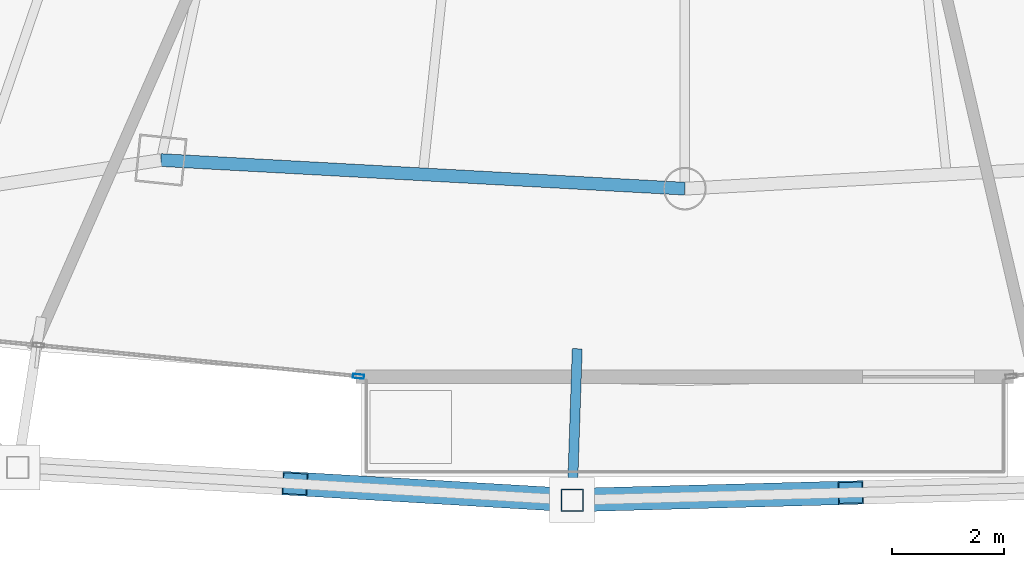
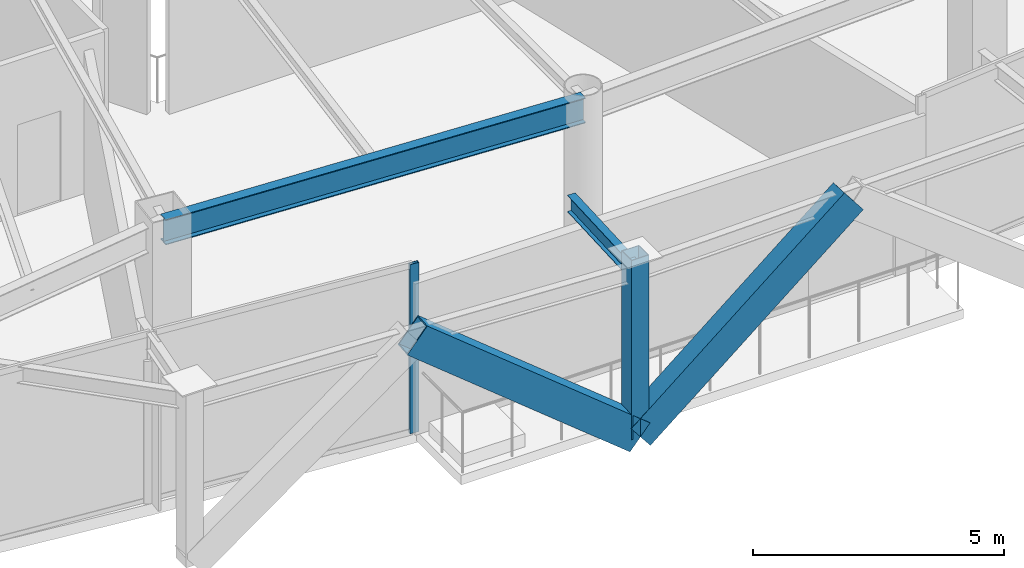
# One storey, part 7 of 28: 4 members, 2 beams, 1 element without a shape of its own.
"""IFC4 building model written with IfcOpenShell, lengths in metres."""

from ifc_helpers import new_model, si_unit, direction, frame, origin, origin_2d, place, context, subcontext, project, spatial, hollow_rectangle, i_section, extrude, material, layer, layer_set, material_profile, profile_set, type_object, element, aggregate, save


model = new_model("IFC4")

# Units and contexts
model_context = context("Model", 3, precision=1e-05, world=origin(), true_north=direction((0.0, 1.0)))
body_context = subcontext(model_context, "Body", "Model", "MODEL_VIEW")
ifc_project = project(units=[si_unit("LENGTHUNIT", "METRE"), si_unit("AREAUNIT", "SQUARE_METRE"), si_unit("VOLUMEUNIT", "CUBIC_METRE"), si_unit("PLANEANGLEUNIT", "RADIAN"), si_unit("MASSUNIT", "GRAM", prefix="KILO")], contexts=[model_context])

# Site, building, storey
site_placement = place(None, origin())
site = spatial("IfcSite", under=ifc_project, at=site_placement, CompositionType="ELEMENT")
building_placement = place(site_placement, origin())
building = spatial("IfcBuilding", under=site, at=building_placement, Name="Orvanel Arch Residences", CompositionType="ELEMENT")
storey_placement = place(building_placement, frame((0.0, 0.0, 146.300048828125)))
storey = spatial("IfcBuildingStorey", under=building, at=storey_placement, Name="L41", CompositionType="ELEMENT", Elevation=146.300048828125)

# Members
ifc_material_1 = material(Name="Structural steel AS/NZS 3678 Grade 350", Category="steel")
ifc_material_profile_1 = material_profile(ifc_material_1, hollow_rectangle(XDim=0.419921875, YDim=0.719970703125, WallThickness=0.02490234375, at=origin_2d()), Name="RHS720x420x25")
ifc_profile_set_1 = profile_set([ifc_material_profile_1], Name="Structural steel AS/NZS 3678 Grade 350")
member_type_1 = type_object("IfcMemberType", Name="BR-720RHS-EXT", PredefinedType="BRACE", material=ifc_profile_set_1)
member_1_placement = place(storey_placement, frame((30.989013671875, 1.284912109375, 0.0), z_axis=(-0.783990821639, 0.046265013208, 0.619045991942), x_axis=(-0.058909701748, -0.998263315483, 0.0)))
element("IfcMember", 1, at=member_1_placement, inside=storey, type_object=member_type_1, Name="L41 Exterior Sky-Garden V-Frame Chevron F2B1.2", PredefinedType="BRACE", context=body_context, shape_type="SweptSolid", body=[
    extrude(hollow_rectangle(XDim=0.419921875, YDim=0.719970703125, WallThickness=0.02490234375, at=origin_2d()), origin(), (0.0, 0.0, 1.0), 6.311279296875),
])
member_2_placement = place(storey_placement, frame((30.989013671875, 1.284912109375, 0.0), z_axis=(0.786049151266, 0.021040066177, 0.617805833098), x_axis=(-0.026757274604, 0.999641960032, 0.0)))
element("IfcMember", 2, at=member_2_placement, inside=storey, type_object=member_type_1, Name="L41 Exterior Sky-Garden V-Frame Chevron F2B2.1", PredefinedType="BRACE", context=body_context, shape_type="SweptSolid", body=[
    extrude(hollow_rectangle(XDim=0.419921875, YDim=0.719970703125, WallThickness=0.02490234375, at=origin_2d()), origin(), (0.0, 0.0, 1.0), 6.323974609375),
])

# Curtain wall, member
ifc_material_2 = material(Name="Bronze-anodised aluminium AA6063-T6", Category="aluminium")
ifc_layer = layer(ifc_material_2, 0.195068359375)
ifc_layer_set = layer_set([ifc_layer], Name="Bronze-anodised aluminium AA6063-T6")
curtain_wall_type = type_object("IfcCurtainWallType", Name="CW6-COM-SYS", PredefinedType="NOTDEFINED", material=ifc_layer_set)
curtain_wall_placement = place(storey_placement, origin())
curtain_wall = element("IfcCurtainWall", 3, at=curtain_wall_placement, inside=storey, type_object=curtain_wall_type, Name="L41 CW6-COM-SYS Unitised Curtain Wall", PredefinedType="NOTDEFINED")
ifc_material_profile_2 = material_profile(ifc_material_2, hollow_rectangle(XDim=0.074951171875, YDim=0.199951171875, WallThickness=0.0048828125, at=origin_2d()), Name="ALU200x75x5")
ifc_profile_set_2 = profile_set([ifc_material_profile_2], Name="Bronze-anodised aluminium AA6063-T6")
member_type_2 = type_object("IfcMemberType", Name="MUL-200x75", PredefinedType="MULLION", material=ifc_profile_set_2)
member_3_placement = place(storey_placement, frame((27.174560546875, 3.49462890625, 0.0), z_axis=(0.0, 0.0, 1.0), x_axis=(0.096888678236, 0.995295224559, 0.0)))
member_3 = element("IfcMember", 4, at=member_3_placement, type_object=member_type_2, Name="CW-S6 mullion 3", PredefinedType="MULLION", context=body_context, shape_type="SweptSolid", body=[
    extrude(hollow_rectangle(XDim=0.074951171875, YDim=0.199951171875, WallThickness=0.0048828125, at=origin_2d()), origin(), (0.0, 0.0, 1.0), 4.10986328125),
])
aggregate(curtain_wall, [member_3])

# Beams
ifc_material_3 = material(Name="Structural steel AS/NZS 3679.1 Grade 300 (300 MPa)", Category="steel")
ifc_material_profile_3 = material_profile(ifc_material_3, i_section(OverallWidth=0.177978515625, OverallDepth=0.406005859375, WebThickness=0.0078125, FlangeThickness=0.0126953125, at=origin_2d()), Name="410UB59.7")
ifc_profile_set_3 = profile_set([ifc_material_profile_3], Name="Structural steel AS/NZS 3679.1 Grade 300 (300 MPa)")
beam_type_1 = type_object("IfcBeamType", Name="OB-410UB-EXT", PredefinedType="SPANDREL", material=ifc_profile_set_3)
beam_1_placement = place(storey_placement, frame((31.080078125, 3.987060546875, 3.906982421875), z_axis=(-0.033681637561, -0.999432612681, 0.0), x_axis=(0.999432612681, -0.033681637561, 0.0)))
element("IfcBeam", 5, at=beam_1_placement, inside=storey, type_object=beam_type_1, Name="L41 Outer Frame Radial Tie Beam 06", PredefinedType="SPANDREL", context=body_context, shape_type="SweptSolid", body=[
    extrude(i_section(OverallWidth=0.177978515625, OverallDepth=0.406005859375, WebThickness=0.0078125, FlangeThickness=0.0126953125, at=origin_2d()), origin(), (0.0, 0.0, 1.0), 2.70361328125),
])
ifc_material_profile_4 = material_profile(ifc_material_3, i_section(OverallWidth=0.22900390625, OverallDepth=0.612060546875, WebThickness=0.011962890625, FlangeThickness=0.01953125, at=origin_2d()), Name="610UB125")
ifc_profile_set_4 = profile_set([ifc_material_profile_4], Name="Structural steel AS/NZS 3679.1 Grade 300 (300 MPa)")
beam_type_2 = type_object("IfcBeamType", Name="SP-610UB", PredefinedType="SPANDREL", material=ifc_profile_set_4)
beam_2_placement = place(storey_placement, frame((23.64892578125, 7.35498046875, 3.803955078125), z_axis=(0.998510315598, -0.054563262768, 0.0), x_axis=(0.054563262768, 0.998510315598, 0.0)))
element("IfcBeam", 6, at=beam_2_placement, inside=storey, type_object=beam_type_2, Name="L41 Perimeter Spandrel Beam 05", PredefinedType="SPANDREL", context=body_context, shape_type="SweptSolid", body=[
    extrude(i_section(OverallWidth=0.22900390625, OverallDepth=0.612060546875, WebThickness=0.011962890625, FlangeThickness=0.01953125, at=origin_2d()), origin(), (0.0, 0.0, 1.0), 9.364990234375),
])

# Member
ifc_material_4 = material(Name="Structural steel AS/NZS 1163 C450L0 (Grade 450)", Category="steel")
ifc_material_profile_5 = material_profile(ifc_material_4, hollow_rectangle(XDim=0.39990234375, YDim=0.39990234375, WallThickness=0.01611328125, at=origin_2d()), Name="SHS400x400x16")
ifc_profile_set_5 = profile_set([ifc_material_profile_5], Name="Structural steel AS/NZS 1163 C450L0 (Grade 450)")
member_type_3 = type_object("IfcMemberType", Name="ST-400SHS-EXT", PredefinedType="STRUT", material=ifc_profile_set_5)
member_4_placement = place(storey_placement, frame((30.989013671875, 1.284912109375, 0.0), z_axis=(0.0, 0.0, 1.0), x_axis=(1.0, 0.0, 0.0)))
element("IfcMember", 7, at=member_4_placement, inside=storey, type_object=member_type_3, Name="L41 Outer Perimeter Frame Post 06", PredefinedType="STRUT", context=body_context, shape_type="SweptSolid", body=[
    extrude(hollow_rectangle(XDim=0.39990234375, YDim=0.39990234375, WallThickness=0.01611328125, at=origin_2d()), origin(), (0.0, 0.0, 1.0), 4.349853515625),
])

save(model, "model.ifc")
